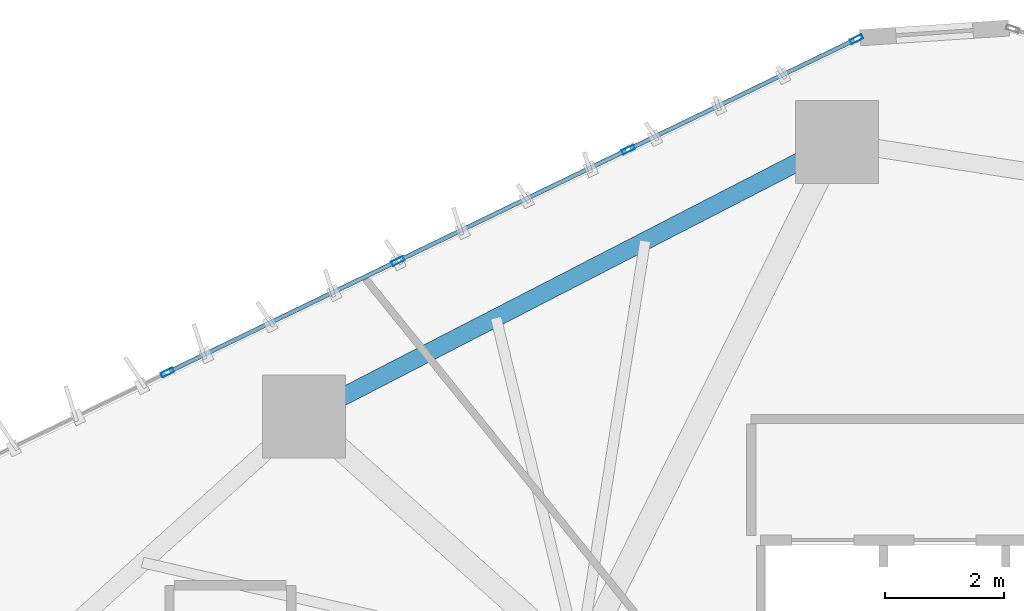
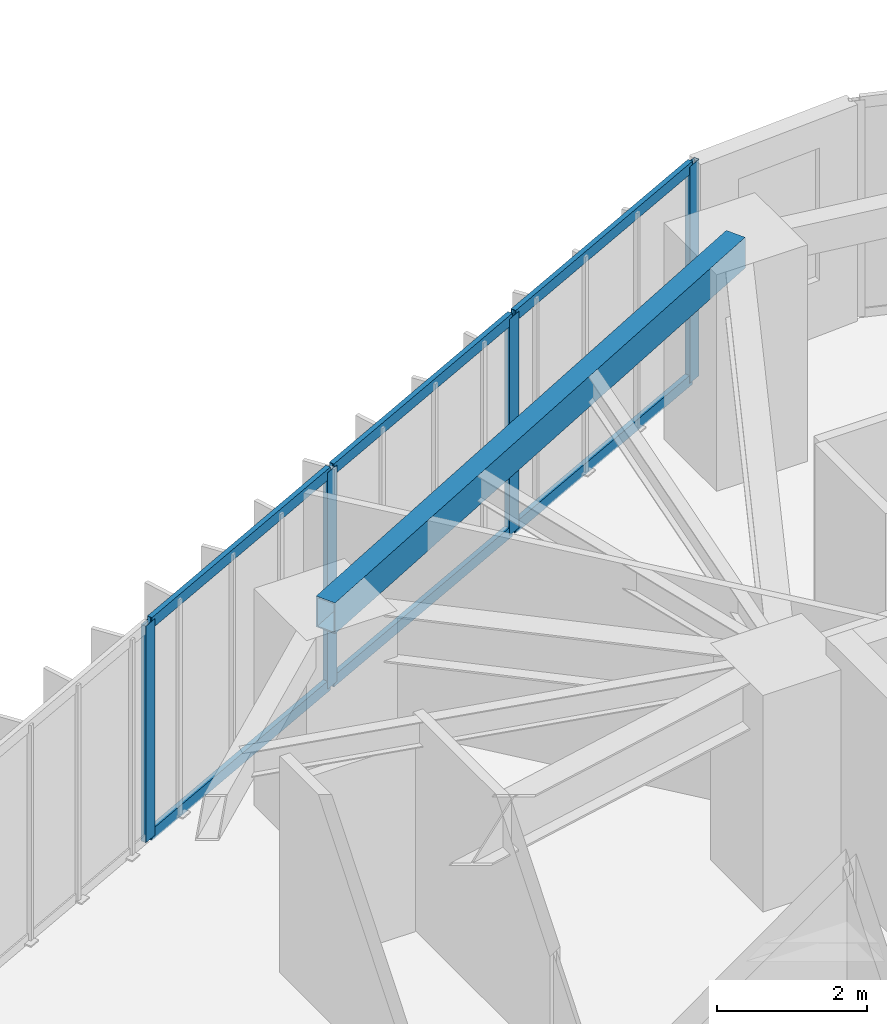
# One storey, part 14 of 23: 10 members, 1 beam, 1 element without a shape of its own.
"""IFC4 building model written with IfcOpenShell, lengths in metres."""

from ifc_helpers import new_model, si_unit, direction, frame, origin, origin_2d, place, context, subcontext, project, spatial, hollow_rectangle, extrude, source, transform, mapped, material, layer, layer_set, material_profile, profile_set, type_object, type_shapes, element, aggregate, save


model = new_model("IFC4")

# Units and contexts
model_context = context("Model", 3, precision=1e-05, world=origin(), true_north=direction((0.0, 1.0)))
body_context = subcontext(model_context, "Body", "Model", "MODEL_VIEW")
ifc_project = project(units=[si_unit("LENGTHUNIT", "METRE"), si_unit("AREAUNIT", "SQUARE_METRE"), si_unit("VOLUMEUNIT", "CUBIC_METRE"), si_unit("PLANEANGLEUNIT", "RADIAN"), si_unit("MASSUNIT", "GRAM", prefix="KILO")], contexts=[model_context])

# Site, building, storey
site_placement = place(None, origin())
site = spatial("IfcSite", under=ifc_project, at=site_placement, CompositionType="ELEMENT")
building_placement = place(site_placement, origin())
building = spatial("IfcBuilding", under=site, at=building_placement, Name="Talar Marvaseh", CompositionType="ELEMENT")
storey_placement = place(building_placement, frame((0.0, 0.0, 35.39990234375)))
storey = spatial("IfcBuildingStorey", under=building, at=storey_placement, Name="L08", CompositionType="ELEMENT", Elevation=35.39990234375)

# Beam
ifc_material_1 = material(Name="Steel S355", Category="steel")
ifc_material_profile_1 = material_profile(ifc_material_1, hollow_rectangle(XDim=0.300048828125, YDim=0.5, WallThickness=0.02001953125, at=origin_2d()), Name="RHS500x300x20")
ifc_profile_set_1 = profile_set([ifc_material_profile_1], Name="Steel S355")
beam_type = type_object("IfcBeamType", Name="Zone 1 Perimeter Spandrel Beam RHS500x300x20", PredefinedType="SPANDREL", material=ifc_profile_set_1)
beam_placement = place(storey_placement, frame((14.069091796875, 41.04296875, 3.27001953125), z_axis=(0.889015710182, 0.457876694155, 0.0), x_axis=(-0.457876694155, 0.889015710182, 0.0)))
element("IfcBeam", 1, at=beam_placement, inside=storey, type_object=beam_type, Name="L08 Zone 1 Perimeter Spandrel Beam RHS500x300x20", PredefinedType="SPANDREL", context=body_context, shape_type="SweptSolid", body=[
    extrude(hollow_rectangle(XDim=0.300048828125, YDim=0.5, WallThickness=0.02001953125, at=origin_2d()), origin(), (0.0, 0.0, 1.0), 10.098876953125),
])

# Curtain wall, members
ifc_material_2 = material(Name="Architectural Aluminium", Category="aluminium")
ifc_layer = layer(ifc_material_2, 0.219970703125)
ifc_layer_set = layer_set([ifc_layer], Name="Architectural Aluminium")
curtain_wall_type = type_object("IfcCurtainWallType", Name="Unitised Low-E Museum Curtain Wall Z1", PredefinedType="NOTDEFINED", material=ifc_layer_set)
curtain_wall_placement = place(storey_placement, origin())
curtain_wall = element("IfcCurtainWall", 2, at=curtain_wall_placement, inside=storey, type_object=curtain_wall_type, Name="L08 Unitised Low-E Museum Curtain Wall Z1", PredefinedType="NOTDEFINED")
ifc_material_profile_2 = material_profile(ifc_material_2, hollow_rectangle(XDim=0.080078125, YDim=0.219970703125, WallThickness=0.0048828125, at=origin_2d()), Name="RHS220x80x5")
ifc_profile_set_2 = profile_set([ifc_material_profile_2], Name="Architectural Aluminium")
member_type_1 = type_object("IfcMemberType", Name="Unitised Curtain Wall Heavy Mullion RHS220x80x5", PredefinedType="MULLION", material=ifc_profile_set_2)
shared_shape_1 = source(origin(), body_context, "Body", "SweptSolid", [
    extrude(hollow_rectangle(XDim=0.080078125, YDim=0.219970703125, WallThickness=0.0048828125, at=origin_2d()), origin(), (0.0, 0.0, 1.0), 3.52001953125),
])
type_shapes(member_type_1, [shared_shape_1])
member_1_placement = place(storey_placement, frame((11.7666015625, 41.78515625, 0.0), z_axis=(0.0, 0.0, 1.0), x_axis=(-0.435510159023, 0.900183815333, 0.0)))
member_1 = element("IfcMember", 3, at=member_1_placement, type_object=member_type_1, Name="CW-Z1 mullion 2", PredefinedType="MULLION", context=body_context, shape_type="MappedRepresentation", body=[
    mapped(shared_shape_1, transform((0.0, 0.0, 0.0), x_axis=(1.0, 0.0, 0.0), y_axis=(0.0, 1.0, 0.0), z_axis=(0.0, 0.0, 1.0), scale=1.0)),
])
member_2_placement = place(storey_placement, frame((15.648193359375, 43.6630859375, 0.0), z_axis=(0.0, 0.0, 1.0), x_axis=(-0.435510159023, 0.900183815333, 0.0)))
member_2 = element("IfcMember", 4, at=member_2_placement, type_object=member_type_1, Name="CW-Z1 mullion 3", PredefinedType="MULLION", context=body_context, shape_type="MappedRepresentation", body=[
    mapped(shared_shape_1, transform((0.0, 0.0, 0.0), x_axis=(1.0, 0.0, 0.0), y_axis=(0.0, 1.0, 0.0), z_axis=(0.0, 0.0, 1.0), scale=1.0)),
])
member_3_placement = place(storey_placement, frame((19.52978515625, 45.541015625, 0.0), z_axis=(0.0, 0.0, 1.0), x_axis=(-0.435510159023, 0.900183815333, 0.0)))
member_3 = element("IfcMember", 5, at=member_3_placement, type_object=member_type_1, Name="CW-Z1 mullion 4", PredefinedType="MULLION", context=body_context, shape_type="MappedRepresentation", body=[
    mapped(shared_shape_1, transform((0.0, 0.0, 0.0), x_axis=(1.0, 0.0, 0.0), y_axis=(0.0, 1.0, 0.0), z_axis=(0.0, 0.0, 1.0), scale=1.0)),
])
member_4_placement = place(storey_placement, frame((23.375244140625, 47.4013671875, 0.0), z_axis=(0.0, 0.0, 1.0), x_axis=(-0.435510159023, 0.900183815333, 0.0)))
member_4 = element("IfcMember", 6, at=member_4_placement, type_object=member_type_1, Name="CW-Z1 mullion 5", PredefinedType="MULLION", context=body_context, shape_type="MappedRepresentation", body=[
    mapped(shared_shape_1, transform((0.0, 0.0, 0.0), x_axis=(1.0, 0.0, 0.0), y_axis=(0.0, 1.0, 0.0), z_axis=(0.0, 0.0, 1.0), scale=1.0)),
])
ifc_material_profile_3 = material_profile(ifc_material_2, hollow_rectangle(XDim=0.074951171875, YDim=0.179931640625, WallThickness=0.0048828125, at=origin_2d()), Name="RHS180x75x5")
ifc_profile_set_3 = profile_set([ifc_material_profile_3], Name="Architectural Aluminium")
member_type_2 = type_object("IfcMemberType", Name="Unitised Curtain Wall Transom RHS180x75x5", PredefinedType="USERDEFINED", material=ifc_profile_set_3)
shared_shape_2 = source(origin(), body_context, "Body", "SweptSolid", [
    extrude(hollow_rectangle(XDim=0.074951171875, YDim=0.179931640625, WallThickness=0.0048828125, at=origin_2d()), origin(), (0.0, 0.0, 1.0), 4.19189453125),
])
member_5_placement = place(storey_placement, frame((19.565673828125, 45.558349609375, 0.03759765625), z_axis=(0.900175456176, 0.435527436677, 0.0), x_axis=(-0.435527436677, 0.900175456176, 0.0)))
member_5 = element("IfcMember", 7, at=member_5_placement, type_object=member_type_2, Name="CW-Z1 transom 4.1", ObjectType="TRANSOM", PredefinedType="USERDEFINED", context=body_context, shape_type="MappedRepresentation", body=[
    mapped(shared_shape_2, transform((0.0, 0.0, 0.0), x_axis=(1.0, 0.0, 0.0), y_axis=(0.0, 1.0, 0.0), z_axis=(0.0, 0.0, 1.0), scale=1.0)),
])
member_6_placement = place(storey_placement, frame((19.565673828125, 45.558349609375, 3.482666015625), z_axis=(0.900175456176, 0.435527436677, 0.0), x_axis=(-0.435527436677, 0.900175456176, 0.0)))
member_6 = element("IfcMember", 8, at=member_6_placement, type_object=member_type_2, Name="CW-Z1 transom 4.2", ObjectType="TRANSOM", PredefinedType="USERDEFINED", context=body_context, shape_type="MappedRepresentation", body=[
    mapped(shared_shape_2, transform((0.0, 0.0, 0.0), x_axis=(1.0, 0.0, 0.0), y_axis=(0.0, 1.0, 0.0), z_axis=(0.0, 0.0, 1.0), scale=1.0)),
])
shared_shape_3 = source(origin(), body_context, "Body", "SweptSolid", [
    extrude(hollow_rectangle(XDim=0.074951171875, YDim=0.179931640625, WallThickness=0.0048828125, at=origin_2d()), origin(), (0.0, 0.0, 1.0), 4.23193359375),
])
member_7_placement = place(storey_placement, frame((11.802734375, 41.802734375, 0.03759765625), z_axis=(0.900189164241, 0.435499102849, 0.0), x_axis=(-0.435499102849, 0.900189164241, 0.0)))
member_7 = element("IfcMember", 9, at=member_7_placement, type_object=member_type_2, Name="CW-Z1 transom 2.1", ObjectType="TRANSOM", PredefinedType="USERDEFINED", context=body_context, shape_type="MappedRepresentation", body=[
    mapped(shared_shape_3, transform((0.0, 0.0, 0.0), x_axis=(1.0, 0.0, 0.0), y_axis=(0.0, 1.0, 0.0), z_axis=(0.0, 0.0, 1.0), scale=1.0)),
])
member_8_placement = place(storey_placement, frame((11.802734375, 41.802734375, 3.482666015625), z_axis=(0.900189164241, 0.435499102849, 0.0), x_axis=(-0.435499102849, 0.900189164241, 0.0)))
member_8 = element("IfcMember", 10, at=member_8_placement, type_object=member_type_2, Name="CW-Z1 transom 2.2", ObjectType="TRANSOM", PredefinedType="USERDEFINED", context=body_context, shape_type="MappedRepresentation", body=[
    mapped(shared_shape_3, transform((0.0, 0.0, 0.0), x_axis=(1.0, 0.0, 0.0), y_axis=(0.0, 1.0, 0.0), z_axis=(0.0, 0.0, 1.0), scale=1.0)),
])
shared_shape_4 = source(origin(), body_context, "Body", "SweptSolid", [
    extrude(hollow_rectangle(XDim=0.074951171875, YDim=0.179931640625, WallThickness=0.0048828125, at=origin_2d()), origin(), (0.0, 0.0, 1.0), 4.231689453125),
])
type_shapes(member_type_2, [shared_shape_2, shared_shape_3, shared_shape_4])
member_9_placement = place(storey_placement, frame((15.684326171875, 43.6806640625, 0.03759765625), z_axis=(0.900178222002, 0.435521720047, 0.0), x_axis=(-0.435521720047, 0.900178222002, 0.0)))
member_9 = element("IfcMember", 11, at=member_9_placement, type_object=member_type_2, Name="CW-Z1 transom 3.1", ObjectType="TRANSOM", PredefinedType="USERDEFINED", context=body_context, shape_type="MappedRepresentation", body=[
    mapped(shared_shape_4, transform((0.0, 0.0, 0.0), x_axis=(1.0, 0.0, 0.0), y_axis=(0.0, 1.0, 0.0), z_axis=(0.0, 0.0, 1.0), scale=1.0)),
])
member_10_placement = place(storey_placement, frame((15.684326171875, 43.6806640625, 3.482666015625), z_axis=(0.900178222002, 0.435521720047, 0.0), x_axis=(-0.435521720047, 0.900178222002, 0.0)))
member_10 = element("IfcMember", 12, at=member_10_placement, type_object=member_type_2, Name="CW-Z1 transom 3.2", ObjectType="TRANSOM", PredefinedType="USERDEFINED", context=body_context, shape_type="MappedRepresentation", body=[
    mapped(shared_shape_4, transform((0.0, 0.0, 0.0), x_axis=(1.0, 0.0, 0.0), y_axis=(0.0, 1.0, 0.0), z_axis=(0.0, 0.0, 1.0), scale=1.0)),
])
aggregate(curtain_wall, [member_1, member_2, member_3, member_4, member_7, member_8, member_9, member_10, member_5, member_6])

save(model, "model.ifc")
